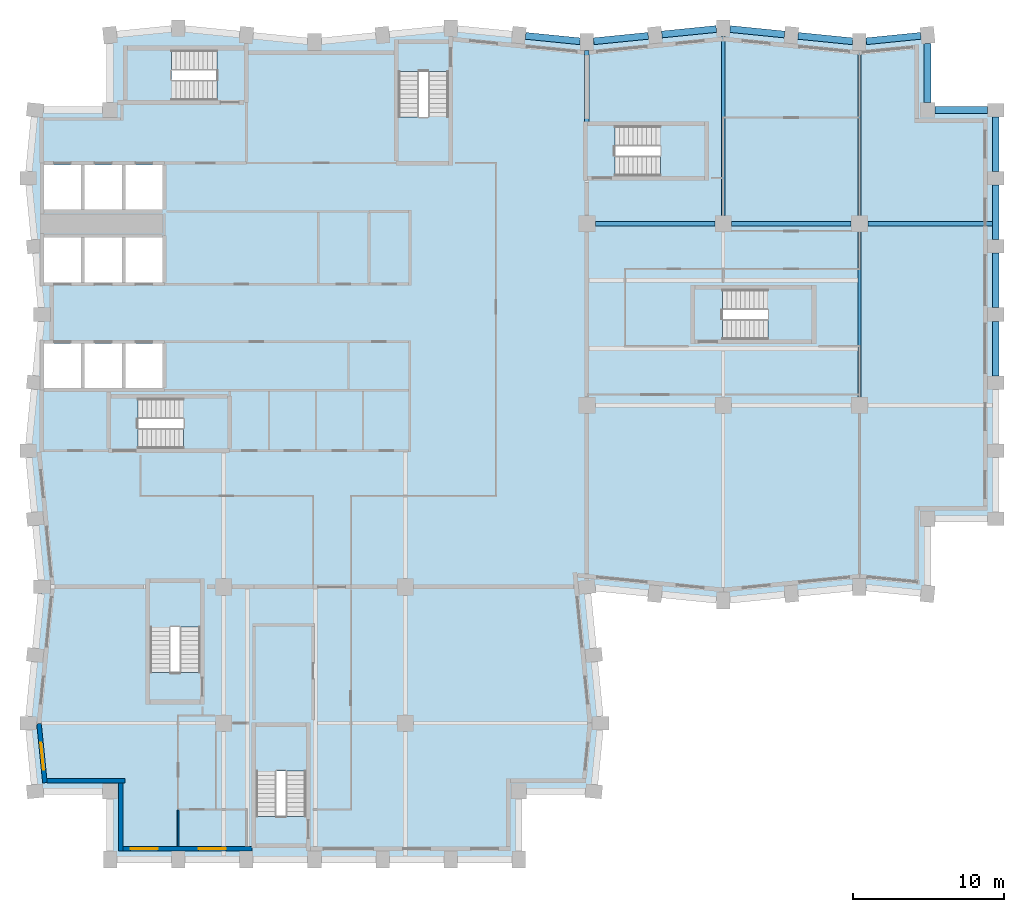
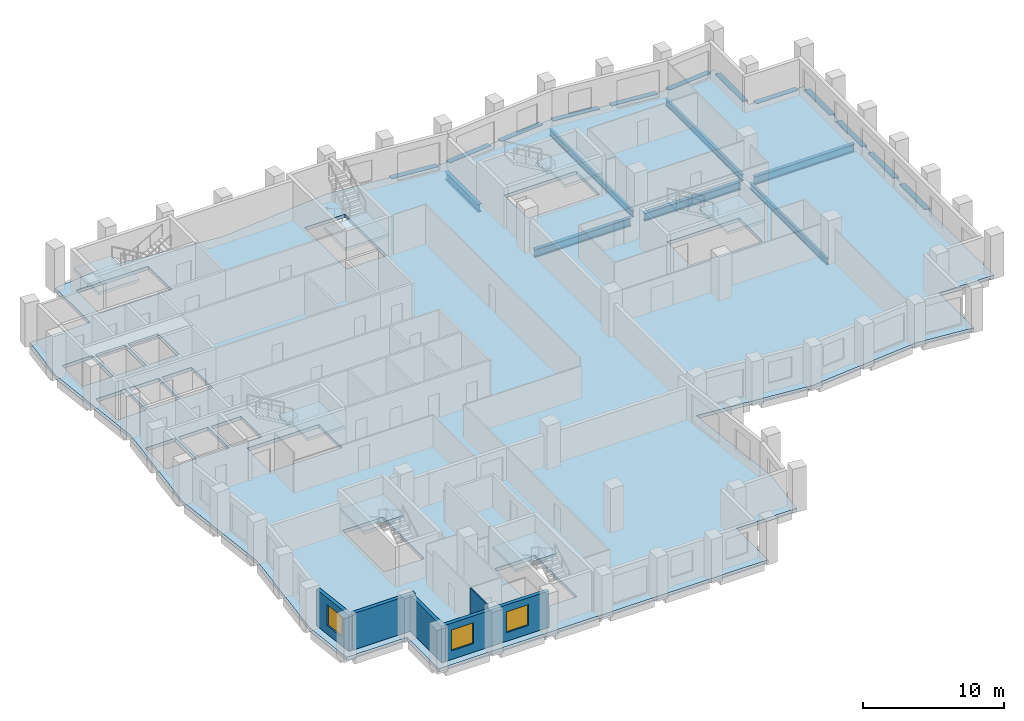
# One storey, part 2 of 10: 19 beams, 8 slabs, 5 walls, 3 windows, 3 openings, 7 elements without a shape of their own.
"""IFC4 building model written with IfcOpenShell, lengths in metres."""

from ifc_helpers import new_model, si_unit, direction, frame, frame_2d, origin, origin_2d, place, context, subcontext, project, spatial, polyline, rectangle, i_section, outline, extrude, material, layer, layer_set, material_profile, profile_set, type_object, element, fill, aggregate, save


model = new_model("IFC4")

# Units and contexts
model_context = context("Model", 3, precision=1e-05, world=origin(), true_north=direction((0.0, 1.0)))
body_context = subcontext(model_context, "Body", "Model", "MODEL_VIEW")
ifc_project = project(units=[si_unit("LENGTHUNIT", "METRE"), si_unit("AREAUNIT", "SQUARE_METRE"), si_unit("VOLUMEUNIT", "CUBIC_METRE"), si_unit("PLANEANGLEUNIT", "RADIAN"), si_unit("MASSUNIT", "GRAM", prefix="KILO")], contexts=[model_context])

# Site, building, storey
site_placement = place(None, origin())
site = spatial("IfcSite", under=ifc_project, at=site_placement, CompositionType="ELEMENT")
building_placement = place(site_placement, origin())
building = spatial("IfcBuilding", under=site, at=building_placement, Name="Brondeck Convention Tower", CompositionType="ELEMENT")
storey_placement = place(building_placement, frame((0.0, 0.0, 181.39990234375)))
storey = spatial("IfcBuildingStorey", under=building, at=storey_placement, Name="L44", CompositionType="ELEMENT", Elevation=181.39990234375)

# Beams
ifc_material_1 = material(Name="Steel S355", Category="steel")
ifc_material_profile_1 = material_profile(ifc_material_1, i_section(OverallWidth=0.2099609375, OverallDepth=0.550048828125, WebThickness=0.010986328125, FlangeThickness=0.01708984375, FilletRadius=0.02392578125, at=origin_2d()), Name="IPE 550")
ifc_profile_set_1 = profile_set([ifc_material_profile_1], Name="Steel S355")
beam_type_1 = type_object("IfcBeamType", Name="Floor beam IPE 550", PredefinedType="BEAM", material=ifc_profile_set_1)
beam_1_placement = place(storey_placement, frame((45.0, 51.550048828125, -0.574951171875), z_axis=(0.0, 1.0, 0.0), x_axis=(-1.0, 0.0, 0.0)))
element("IfcBeam", 1, at=beam_1_placement, inside=storey, type_object=beam_type_1, Name="STR-FB-L44-002", PredefinedType="BEAM", context=body_context, shape_type="SweptSolid", body=[
    extrude(i_section(OverallWidth=0.2099609375, OverallDepth=0.550048828125, WebThickness=0.010986328125, FlangeThickness=0.01708984375, FilletRadius=0.02392578125, at=origin_2d()), origin(), (0.0, 0.0, 1.0), 11.800048828125),
])
for number, where, z_axis, x_axis, name in (
    (2, (54.0, 39.550048828125, -0.574951171875), (0.0, 1.0, 0.0), (-1.0, 0.0, 0.0), "STR-FB-L44-004"),
    (3, (54.0, 51.550048828125, -0.574951171875), (0.0, 1.0, 0.0), (-1.0, 0.0, 0.0), "STR-FB-L44-005"),
):
    element("IfcBeam", number, at=place(storey_placement, frame(where, z_axis=z_axis, x_axis=x_axis)), inside=storey, type_object=beam_type_1, Name=name, PredefinedType="BEAM", context=body_context, shape_type="SweptSolid", body=[
        extrude(i_section(OverallWidth=0.2099609375, OverallDepth=0.550048828125, WebThickness=0.010986328125, FlangeThickness=0.01708984375, FilletRadius=0.02392578125, at=origin_2d()), origin(), (0.0, 0.0, 1.0), 10.89990234375),
    ])
ifc_material_profile_2 = material_profile(ifc_material_1, i_section(OverallWidth=0.300048828125, OverallDepth=0.699951171875, WebThickness=0.01708984375, FlangeThickness=0.031982421875, FilletRadius=0.027099609375, at=origin_2d()), Name="HEB 700")
ifc_profile_set_2 = profile_set([ifc_material_profile_2], Name="Steel S355")
beam_type_2 = type_object("IfcBeamType", Name="Girder HEB 700", PredefinedType="BEAM", material=ifc_profile_set_2)
for number, where, z_axis, x_axis, name in (
    (4, (36.550048828125, 51.0, -0.64990234375), (1.0, 0.0, 0.0), (0.0, 1.0, 0.0), "STR-GR-L44-004"),
    (5, (45.550048828125, 51.0, -0.64990234375), (1.0, 0.0, 0.0), (0.0, 1.0, 0.0), "STR-GR-L44-005"),
):
    element("IfcBeam", number, at=place(storey_placement, frame(where, z_axis=z_axis, x_axis=x_axis)), inside=storey, type_object=beam_type_2, Name=name, PredefinedType="BEAM", context=body_context, shape_type="SweptSolid", body=[
        extrude(i_section(OverallWidth=0.300048828125, OverallDepth=0.699951171875, WebThickness=0.01708984375, FlangeThickness=0.031982421875, FilletRadius=0.027099609375, at=origin_2d()), origin(), (0.0, 0.0, 1.0), 7.89990234375),
    ])
beam_2_placement = place(storey_placement, frame((54.550048828125, 51.0, -0.64990234375), z_axis=(1.0, 0.0, 0.0), x_axis=(0.0, 1.0, 0.0)))
element("IfcBeam", 6, at=beam_2_placement, inside=storey, type_object=beam_type_2, Name="STR-GR-L44-006", PredefinedType="BEAM", context=body_context, shape_type="SweptSolid", body=[
    extrude(i_section(OverallWidth=0.300048828125, OverallDepth=0.699951171875, WebThickness=0.01708984375, FlangeThickness=0.031982421875, FilletRadius=0.027099609375, at=origin_2d()), origin(), (0.0, 0.0, 1.0), 8.224853515625),
])
beam_3_placement = place(storey_placement, frame((36.0, 57.719970703125, -0.64990234375), z_axis=(0.0, 1.0, 0.0), x_axis=(-1.0, 0.0, 0.0)))
element("IfcBeam", 7, at=beam_3_placement, inside=storey, type_object=beam_type_2, Name="STR-GR-L44-010", PredefinedType="BEAM", context=body_context, shape_type="SweptSolid", body=[
    extrude(i_section(OverallWidth=0.300048828125, OverallDepth=0.699951171875, WebThickness=0.01708984375, FlangeThickness=0.031982421875, FilletRadius=0.027099609375, at=origin_2d()), origin(), (0.0, 0.0, 1.0), 4.72998046875),
])
ifc_material_2 = material(Name="Concrete C70/85", Category="concrete")
ifc_material_profile_3 = material_profile(ifc_material_2, rectangle(XDim=0.449951171875, YDim=0.64990234375, at=origin_2d()), Name="Precast spandrel 450x650 Concrete C70/85")
ifc_profile_set_3 = profile_set([ifc_material_profile_3], Name="Concrete C70/85")
beam_type_3 = type_object("IfcBeamType", Name="Precast spandrel 450x650 Concrete C70/85", PredefinedType="SPANDREL", material=ifc_profile_set_3)
for number, where, z_axis, x_axis, name in (
    (8, (63.0, 40.949951171875, -0.324951171875), (0.0, 1.0, 0.0), (-1.0, 0.0, 0.0), "STR-SP-L44-021"),
    (9, (63.0, 45.449951171875, -0.324951171875), (0.0, 1.0, 0.0), (-1.0, 0.0, 0.0), "STR-SP-L44-022"),
    (10, (63.0, 49.949951171875, -0.324951171875), (0.0, 1.0, 0.0), (-1.0, 0.0, 0.0), "STR-SP-L44-023"),
    (11, (63.0, 54.449951171875, -0.324951171875), (0.0, 1.0, 0.0), (-1.0, 0.0, 0.0), "STR-SP-L44-024"),
):
    element("IfcBeam", number, at=place(storey_placement, frame(where, z_axis=z_axis, x_axis=x_axis)), inside=storey, type_object=beam_type_3, Name=name, PredefinedType="SPANDREL", context=body_context, shape_type="SweptSolid", body=[
        extrude(rectangle(XDim=0.449951171875, YDim=0.64990234375, at=origin_2d()), origin(), (0.0, 0.0, 1.0), 3.60009765625),
    ])
beam_4_placement = place(storey_placement, frame((62.449951171875, 58.5, -0.324951171875), z_axis=(-1.0, 0.0, 0.0), x_axis=(0.0, -1.0, 0.0)))
element("IfcBeam", 12, at=beam_4_placement, inside=storey, type_object=beam_type_3, Name="STR-SP-L44-025", PredefinedType="SPANDREL", context=body_context, shape_type="SweptSolid", body=[
    extrude(rectangle(XDim=0.449951171875, YDim=0.64990234375, at=origin_2d()), origin(), (0.0, 0.0, 1.0), 3.449951171875),
])
beam_5_placement = place(storey_placement, frame((58.5, 59.0, -0.324951171875), z_axis=(0.0, 1.0, 0.0), x_axis=(-1.0, 0.0, 0.0)))
element("IfcBeam", 13, at=beam_5_placement, inside=storey, type_object=beam_type_3, Name="STR-SP-L44-026", PredefinedType="SPANDREL", context=body_context, shape_type="SweptSolid", body=[
    extrude(rectangle(XDim=0.449951171875, YDim=0.64990234375, at=origin_2d()), origin(), (0.0, 0.0, 1.0), 3.897216796875),
])
for number, where, z_axis, x_axis, name in (
    (14, (58.05224609375, 63.4052734375, -0.324951171875), (-0.995033851182, -0.099537103649, 0.0), (0.099537103649, -0.995033851182, 0.0), "STR-SP-L44-027"),
    (15, (53.550048828125, 63.044921875, -0.324951171875), (-0.995033851182, 0.099537103649, 0.0), (-0.099537103649, -0.995033851182, 0.0), "STR-SP-L44-028"),
    (16, (49.05224609375, 63.494873046875, -0.324951171875), (-0.995040528141, 0.099470334057, 0.0), (-0.099470334057, -0.995040528141, 0.0), "STR-SP-L44-029"),
    (17, (44.550048828125, 63.85498046875, -0.324951171875), (-0.995040528141, -0.099470334057, 0.0), (0.099470334057, -0.995040528141, 0.0), "STR-SP-L44-030"),
    (18, (40.05224609375, 63.4052734375, -0.324951171875), (-0.995033851182, -0.099537103649, 0.0), (0.099537103649, -0.995033851182, 0.0), "STR-SP-L44-031"),
    (19, (35.550048828125, 63.044921875, -0.324951171875), (-0.995033851182, 0.099537103649, 0.0), (-0.099537103649, -0.995033851182, 0.0), "STR-SP-L44-032"),
):
    element("IfcBeam", number, at=place(storey_placement, frame(where, z_axis=z_axis, x_axis=x_axis)), inside=storey, type_object=beam_type_3, Name=name, PredefinedType="SPANDREL", context=body_context, shape_type="SweptSolid", body=[
        extrude(rectangle(XDim=0.449951171875, YDim=0.64990234375, at=origin_2d()), origin(), (0.0, 0.0, 1.0), 3.620361328125),
    ])

# Slab
ifc_material_3 = material(Name="Concrete C35/45", Category="concrete")
ifc_layer_1 = layer(ifc_material_3, 0.300048828125)
ifc_layer_set_1 = layer_set([ifc_layer_1], Name="Composite floor slab 300")
slab_type_1 = type_object("IfcSlabType", Name="Composite floor slab 300", PredefinedType="FLOOR", material=ifc_layer_set_1)
slab_1_placement = place(storey_placement, frame((0.0, 0.0, -0.2998046875)))
element("IfcSlab", 20, at=slab_1_placement, inside=storey, type_object=slab_type_1, Name="STR-SL-L44", PredefinedType="FLOOR", context=body_context, shape_type="SweptSolid", body=[
    extrude(outline(polyline([(4.5, 13.5), (-0.449951171875, 13.5), (-0.89990234375, 18.0), (0.0, 27.0), (-0.89990234375, 36.0), (0.0, 45.0), (-0.89990234375, 54.0), (-0.449951171875, 58.5), (4.5, 58.5), (4.5, 63.449951171875), (9.0, 63.89990234375), (18.0, 63.0), (27.0, 63.89990234375), (36.0, 63.0), (45.0, 63.89990234375), (54.0, 63.0), (58.5, 63.449951171875), (58.5, 58.5), (63.0, 58.5), (63.0, 31.5), (58.5, 31.5), (58.5, 26.550048828125), (54.0, 27.0), (45.0, 26.10009765625), (36.0, 27.0), (36.89990234375, 18.0), (36.449951171875, 13.5), (31.5, 13.5), (31.5, 9.0), (4.5, 9.0), (4.5, 13.5)]), holes=[polyline([(2.574951171875, 40.125), (2.574951171875, 43.074951171875), (0.125, 43.074951171875), (0.125, 40.125), (2.574951171875, 40.125)]), polyline([(5.27490234375, 40.125), (5.27490234375, 43.074951171875), (2.824951171875, 43.074951171875), (2.824951171875, 40.125), (5.27490234375, 40.125)]), polyline([(7.97509765625, 40.125), (7.97509765625, 43.074951171875), (5.52490234375, 43.074951171875), (5.52490234375, 40.125), (7.97509765625, 40.125)]), polyline([(2.574951171875, 47.125), (2.574951171875, 50.074951171875), (0.125, 50.074951171875), (0.125, 47.125), (2.574951171875, 47.125)]), polyline([(5.27490234375, 47.125), (5.27490234375, 50.074951171875), (2.824951171875, 50.074951171875), (2.824951171875, 47.125), (5.27490234375, 47.125)]), polyline([(7.97509765625, 47.125), (7.97509765625, 50.074951171875), (5.52490234375, 50.074951171875), (5.52490234375, 47.125), (7.97509765625, 47.125)]), polyline([(2.574951171875, 51.925048828125), (2.574951171875, 54.875), (0.125, 54.875), (0.125, 51.925048828125), (2.574951171875, 51.925048828125)]), polyline([(5.27490234375, 51.925048828125), (5.27490234375, 54.875), (2.824951171875, 54.875), (2.824951171875, 51.925048828125), (5.27490234375, 51.925048828125)]), polyline([(17.447998046875, 17.748046875), (14.152099609375, 17.748046875), (14.152099609375, 11.85205078125), (17.447998046875, 11.85205078125), (17.447998046875, 17.748046875)]), polyline([(10.447998046875, 27.248046875), (7.152099609375, 27.248046875), (7.152099609375, 21.35205078125), (10.447998046875, 21.35205078125), (10.447998046875, 27.248046875)]), polyline([(12.248046875, 36.152099609375), (12.248046875, 39.447998046875), (6.35205078125, 39.447998046875), (6.35205078125, 36.152099609375), (12.248046875, 36.152099609375)]), polyline([(50.847900390625, 43.35205078125), (50.847900390625, 46.64794921875), (44.951904296875, 46.64794921875), (44.951904296875, 43.35205078125), (50.847900390625, 43.35205078125)]), polyline([(7.97509765625, 51.925048828125), (7.97509765625, 54.875), (5.52490234375, 54.875), (5.52490234375, 51.925048828125), (7.97509765625, 51.925048828125)]), polyline([(43.748046875, 54.152099609375), (43.748046875, 57.447998046875), (37.85205078125, 57.447998046875), (37.85205078125, 54.152099609375), (43.748046875, 54.152099609375)]), polyline([(23.552001953125, 55.152099609375), (26.847900390625, 55.152099609375), (26.847900390625, 61.048095703125), (23.552001953125, 61.048095703125), (23.552001953125, 55.152099609375)]), polyline([(5.652099609375, 62.447998046875), (5.652099609375, 59.152099609375), (11.548095703125, 59.152099609375), (11.548095703125, 62.447998046875), (5.652099609375, 62.447998046875)])]), origin(), (0.0, 0.0, 1.0), 0.2998046875),
])

# Stair, slab
ifc_material_4 = material(Name="Precast concrete C50/60", Category="concrete")
stair_type = type_object("IfcStairType", Name="Core stair 22 risers 172.73 mm riser 300 mm going 1350 wide", PredefinedType="HALF_TURN_STAIR", material=ifc_material_4)
stair_1_placement = place(storey_placement, origin())
stair_1 = element("IfcStair", 21, at=stair_1_placement, inside=storey, type_object=stair_type, Name="ST-1 L44 stair", PredefinedType="HALF_TURN_STAIR")
ifc_layer_2 = layer(ifc_material_4, 0.25)
ifc_layer_set_2 = layer_set([ifc_layer_2], Name="Core stair landing 250 Precast concrete C50/60")
slab_type_2 = type_object("IfcSlabType", Name="Core stair landing 250 Precast concrete C50/60", PredefinedType="LANDING", material=ifc_layer_set_2)
slab_2_placement = place(storey_placement, frame((0.0, 0.0, 1.650146484375)))
slab_2 = element("IfcSlab", 22, at=slab_2_placement, type_object=slab_type_2, Name="ST-1 landing 1", PredefinedType="LANDING", context=body_context, shape_type="SweptSolid", body=[
    extrude(outline(polyline([(9.347900390625, 37.5), (9.35009765625, 37.5), (9.35009765625, 38.10009765625), (9.050048828125, 38.10009765625), (9.050048828125, 39.570068359375), (12.3701171875, 39.570068359375), (12.3701171875, 36.030029296875), (9.347900390625, 36.030029296875), (9.347900390625, 37.5)])), origin(), (0.0, 0.0, 1.0), 0.25),
])
aggregate(stair_1, [slab_2])

stair_2_placement = place(storey_placement, origin())
stair_2 = element("IfcStair", 23, at=stair_2_placement, inside=storey, type_object=stair_type, Name="ST-2 L44 stair", PredefinedType="HALF_TURN_STAIR")
slab_3_placement = place(storey_placement, frame((0.0, 0.0, 1.650146484375)))
slab_3 = element("IfcSlab", 24, at=slab_3_placement, type_object=slab_type_2, Name="ST-2 landing 1", PredefinedType="LANDING", context=body_context, shape_type="SweptSolid", body=[
    extrude(outline(polyline([(23.429931640625, 58.052001953125), (24.89990234375, 58.052001953125), (24.89990234375, 58.050048828125), (25.5, 58.050048828125), (25.5, 58.35009765625), (26.969970703125, 58.35009765625), (26.969970703125, 55.030029296875), (23.429931640625, 55.030029296875), (23.429931640625, 58.052001953125)])), origin(), (0.0, 0.0, 1.0), 0.25),
])
aggregate(stair_2, [slab_3])

stair_3_placement = place(storey_placement, origin())
stair_3 = element("IfcStair", 25, at=stair_3_placement, inside=storey, type_object=stair_type, Name="ST-3 L44 stair", PredefinedType="HALF_TURN_STAIR")
slab_4_placement = place(storey_placement, frame((0.0, 0.0, 1.650146484375)))
slab_4 = element("IfcSlab", 26, at=slab_4_placement, type_object=slab_type_2, Name="ST-3 landing 1", PredefinedType="LANDING", context=body_context, shape_type="SweptSolid", body=[
    extrude(outline(polyline([(8.85009765625, 60.5), (8.85009765625, 59.030029296875), (5.530029296875, 59.030029296875), (5.530029296875, 62.570068359375), (8.552001953125, 62.570068359375), (8.552001953125, 61.10009765625), (8.550048828125, 61.10009765625), (8.550048828125, 60.5), (8.85009765625, 60.5)])), origin(), (0.0, 0.0, 1.0), 0.25),
])
aggregate(stair_3, [slab_4])

stair_4_placement = place(storey_placement, origin())
stair_4 = element("IfcStair", 27, at=stair_4_placement, inside=storey, type_object=stair_type, Name="ST-AE L44 stair", PredefinedType="HALF_TURN_STAIR")
slab_5_placement = place(storey_placement, frame((0.0, 0.0, 1.650146484375)))
slab_5 = element("IfcSlab", 28, at=slab_5_placement, type_object=slab_type_2, Name="ST-AE landing 1", PredefinedType="LANDING", context=body_context, shape_type="SweptSolid", body=[
    extrude(outline(polyline([(40.847900390625, 55.5), (40.85009765625, 55.5), (40.85009765625, 56.10009765625), (40.550048828125, 56.10009765625), (40.550048828125, 57.570068359375), (43.8701171875, 57.570068359375), (43.8701171875, 54.030029296875), (40.847900390625, 54.030029296875), (40.847900390625, 55.5)])), origin(), (0.0, 0.0, 1.0), 0.25),
])
aggregate(stair_4, [slab_5])

stair_5_placement = place(storey_placement, origin())
stair_5 = element("IfcStair", 29, at=stair_5_placement, inside=storey, type_object=stair_type, Name="ST-BE L44 stair", PredefinedType="HALF_TURN_STAIR")
slab_6_placement = place(storey_placement, frame((0.0, 0.0, 1.650146484375)))
slab_6 = element("IfcSlab", 30, at=slab_6_placement, type_object=slab_type_2, Name="ST-BE landing 1", PredefinedType="LANDING", context=body_context, shape_type="SweptSolid", body=[
    extrude(outline(polyline([(7.030029296875, 24.050048828125), (7.030029296875, 27.3701171875), (10.570068359375, 27.3701171875), (10.570068359375, 24.347900390625), (9.10009765625, 24.347900390625), (9.10009765625, 24.35009765625), (8.5, 24.35009765625), (8.5, 24.050048828125), (7.030029296875, 24.050048828125)])), origin(), (0.0, 0.0, 1.0), 0.25),
])
aggregate(stair_5, [slab_6])

stair_6_placement = place(storey_placement, origin())
stair_6 = element("IfcStair", 31, at=stair_6_placement, inside=storey, type_object=stair_type, Name="ST-AF L44 stair", PredefinedType="HALF_TURN_STAIR")
slab_7_placement = place(storey_placement, frame((0.0, 0.0, 1.650146484375)))
slab_7 = element("IfcSlab", 32, at=slab_7_placement, type_object=slab_type_2, Name="ST-AF landing 1", PredefinedType="LANDING", context=body_context, shape_type="SweptSolid", body=[
    extrude(outline(polyline([(47.947998046875, 44.699951171875), (47.949951171875, 44.699951171875), (47.949951171875, 45.300048828125), (47.64990234375, 45.300048828125), (47.64990234375, 46.77001953125), (50.969970703125, 46.77001953125), (50.969970703125, 43.22998046875), (47.947998046875, 43.22998046875), (47.947998046875, 44.699951171875)])), origin(), (0.0, 0.0, 1.0), 0.25),
])
aggregate(stair_6, [slab_7])

stair_7_placement = place(storey_placement, origin())
stair_7 = element("IfcStair", 33, at=stair_7_placement, inside=storey, type_object=stair_type, Name="ST-BF L44 stair", PredefinedType="HALF_TURN_STAIR")
slab_8_placement = place(storey_placement, frame((0.0, 0.0, 1.650146484375)))
slab_8 = element("IfcSlab", 34, at=slab_8_placement, type_object=slab_type_2, Name="ST-BF landing 1", PredefinedType="LANDING", context=body_context, shape_type="SweptSolid", body=[
    extrude(outline(polyline([(14.030029296875, 14.550048828125), (14.030029296875, 17.8701171875), (17.570068359375, 17.8701171875), (17.570068359375, 14.847900390625), (16.10009765625, 14.847900390625), (16.10009765625, 14.85009765625), (15.5, 14.85009765625), (15.5, 14.550048828125), (14.030029296875, 14.550048828125)])), origin(), (0.0, 0.0, 1.0), 0.25),
])
aggregate(stair_7, [slab_8])

# Wall, openings, windows
ifc_material_5 = material(Name="Precast concrete C50/60 bronze finish", Category="concrete")
ifc_layer_3 = layer(ifc_material_5, 0.070068359375, Name="Bronze precast facing")
ifc_material_6 = material(Name="Mineral wool")
ifc_layer_4 = layer(ifc_material_6, 0.159912109375, Name="Insulation")
ifc_layer_5 = layer(ifc_material_3, 0.070068359375, Name="Backing")
ifc_layer_set_3 = layer_set([ifc_layer_3, ifc_layer_4, ifc_layer_5], Name="External infill wall, precast concrete C50/60 bronze facing")
wall_type_1 = type_object("IfcWallType", Name="External infill wall, precast concrete C50/60 bronze facing", PredefinedType="SOLIDWALL", material=ifc_layer_set_3)
wall_1_placement = place(storey_placement, frame((13.860107421875, 9.699951171875, 0.0), z_axis=(0.0, 0.0, 1.0), x_axis=(-1.0, 0.0, 0.0)))
wall_1 = element("IfcWall", 35, at=wall_1_placement, inside=storey, type_object=wall_type_1, Name="ENV-EW-L44-P1-B-S9-01", PredefinedType="SOLIDWALL", context=body_context, shape_type="SweptSolid", body=[
    extrude(rectangle(XDim=8.510009765625, YDim=0.300048828125, at=frame_2d((4.2548828125, 0.0))), origin(), (0.0, 0.0, 1.0), 3.150146484375),
])
opening_1_placement = place(wall_1_placement, frame((1.7099609375, 0.0, 0.75)))
opening_1 = element("IfcOpeningElement", 36, at=opening_1_placement, cuts=wall_1, Name="Opening W10", PredefinedType="OPENING", context=body_context, shape_type="SweptSolid", body=[
    extrude(rectangle(XDim=1.800048828125, YDim=1.800048828125, at=frame_2d((0.89990234375, 0.89990234375))), frame((0.0, 0.159912109375, 0.0), z_axis=(0.0, -1.0, 0.0), x_axis=(1.0, 0.0, 0.0)), (0.0, 0.0, 1.0), 0.320068359375),
])
opening_2_placement = place(wall_1_placement, frame((6.2099609375, 0.0, 0.75)))
opening_2 = element("IfcOpeningElement", 37, at=opening_2_placement, cuts=wall_1, Name="Opening W10", PredefinedType="OPENING", context=body_context, shape_type="SweptSolid", body=[
    extrude(rectangle(XDim=1.800048828125, YDim=1.800048828125, at=frame_2d((0.89990234375, 0.89990234375))), frame((0.0, 0.159912109375, 0.0), z_axis=(0.0, -1.0, 0.0), x_axis=(1.0, 0.0, 0.0)), (0.0, 0.0, 1.0), 0.320068359375),
])
ifc_material_7 = material(Name="Bronze tinted double glazing", Category="glass")
window_type = type_object("IfcWindowType", Name="Punched window, bronze tinted", PartitioningType="SINGLE_PANEL", PredefinedType="WINDOW", material=ifc_material_7)
window_1_placement = place(opening_1_placement, origin())
window_1 = element("IfcWindow", 38, at=window_1_placement, inside=storey, type_object=window_type, Name="ENV-WN-L44-P1-B-S9-02", OverallHeight=1.800048828125, OverallWidth=1.800048828125, PartitioningType="SINGLE_PANEL", PredefinedType="WINDOW", context=body_context, shape_type="SweptSolid", body=[
    extrude(rectangle(XDim=1.800048828125, YDim=1.800048828125, at=frame_2d((0.89990234375, 0.89990234375))), frame((0.0, 0.030029296875, 0.0), z_axis=(0.0, -1.0, 0.0), x_axis=(1.0, 0.0, 0.0)), (0.0, 0.0, 1.0), 0.06005859375),
])
fill(opening_1, window_1)
window_2_placement = place(opening_2_placement, origin())
window_2 = element("IfcWindow", 39, at=window_2_placement, inside=storey, type_object=window_type, Name="ENV-WN-L44-P1-B-S9-01", OverallHeight=1.800048828125, OverallWidth=1.800048828125, PartitioningType="SINGLE_PANEL", PredefinedType="WINDOW", context=body_context, shape_type="SweptSolid", body=[
    extrude(rectangle(XDim=1.800048828125, YDim=1.800048828125, at=frame_2d((0.89990234375, 0.89990234375))), frame((0.0, 0.030029296875, 0.0), z_axis=(0.0, -1.0, 0.0), x_axis=(1.0, 0.0, 0.0)), (0.0, 0.0, 1.0), 0.06005859375),
])
fill(opening_2, window_2)

# Wall, opening, window
wall_2_placement = place(storey_placement, frame((0.197021484375, 14.06494140625, 0.0), z_axis=(0.0, 0.0, 1.0), x_axis=(-0.099528354722, 0.995034726332, 0.0)))
wall_2 = element("IfcWall", 40, at=wall_2_placement, inside=storey, type_object=wall_type_1, Name="ENV-EW-L44-P1-B-W-10", PredefinedType="SOLIDWALL", context=body_context, shape_type="SweptSolid", body=[
    extrude(rectangle(XDim=3.9248046875, YDim=0.300048828125, at=frame_2d((1.96240234375, 0.0))), origin(), (0.0, 0.0, 1.0), 3.150146484375),
])
opening_3_placement = place(wall_2_placement, frame((0.863525390625, 0.0, 0.75)))
opening_3 = element("IfcOpeningElement", 41, at=opening_3_placement, cuts=wall_2, Name="Opening W10", PredefinedType="OPENING", context=body_context, shape_type="SweptSolid", body=[
    extrude(rectangle(XDim=1.800048828125, YDim=1.800048828125, at=frame_2d((0.89990234375, 0.89990234375))), frame((0.0, 0.159912109375, 0.0), z_axis=(0.0, -1.0, 0.0), x_axis=(1.0, 0.0, 0.0)), (0.0, 0.0, 1.0), 0.320068359375),
])
window_3_placement = place(opening_3_placement, origin())
window_3 = element("IfcWindow", 42, at=window_3_placement, inside=storey, type_object=window_type, Name="ENV-WN-L44-P1-B-W-10", OverallHeight=1.800048828125, OverallWidth=1.800048828125, PartitioningType="SINGLE_PANEL", PredefinedType="WINDOW", context=body_context, shape_type="SweptSolid", body=[
    extrude(rectangle(XDim=1.800048828125, YDim=1.800048828125, at=frame_2d((0.89990234375, 0.89990234375))), frame((0.0, 0.030029296875, 0.0), z_axis=(0.0, -1.0, 0.0), x_axis=(1.0, 0.0, 0.0)), (0.0, 0.0, 1.0), 0.06005859375),
])
fill(opening_3, window_3)

# Walls
wall_3_placement = place(storey_placement, frame((5.5, 14.199951171875, 0.0), z_axis=(0.0, 0.0, 1.0), x_axis=(-1.0, 0.0, 0.0)))
element("IfcWall", 43, at=wall_3_placement, inside=storey, type_object=wall_type_1, Name="ENV-EW-L44-P1-NC-SWB9-01", PredefinedType="SOLIDWALL", context=body_context, shape_type="SweptSolid", body=[
    extrude(rectangle(XDim=5.16455078125, YDim=0.300048828125, at=frame_2d((2.582275390625, 0.0))), origin(), (0.0, 0.0, 1.0), 3.150146484375),
])
wall_4_placement = place(storey_placement, frame((5.199951171875, 9.550048828125, 0.0), z_axis=(0.0, 0.0, 1.0), x_axis=(0.0, 1.0, 0.0)))
element("IfcWall", 44, at=wall_4_placement, inside=storey, type_object=wall_type_1, Name="ENV-EW-L44-P1-NC-SWB9-02", PredefinedType="SOLIDWALL", context=body_context, shape_type="SweptSolid", body=[
    extrude(rectangle(XDim=4.501953125, YDim=0.300048828125, at=frame_2d((2.2509765625, 0.0))), origin(), (0.0, 0.0, 1.0), 3.150146484375),
])
ifc_material_8 = material(Name="Gypsum board partition on steel studs", Category="steel")
ifc_layer_6 = layer(ifc_material_8, 0.10009765625)
ifc_layer_set_4 = layer_set([ifc_layer_6], Name="Room partition 100")
wall_type_2 = type_object("IfcWallType", Name="Room partition 100", PredefinedType="PARTITIONING", material=ifc_layer_set_4)
wall_5_placement = place(storey_placement, frame((9.0, 9.8701171875, 0.0), z_axis=(0.0, 0.0, 1.0), x_axis=(0.0, 1.0, 0.0)))
element("IfcWall", 45, at=wall_5_placement, inside=storey, type_object=wall_type_2, Name="FLR-L44-W001", PredefinedType="PARTITIONING", context=body_context, shape_type="SweptSolid", body=[
    extrude(rectangle(XDim=2.3798828125, YDim=0.10009765625, at=frame_2d((1.18994140625, 0.0))), origin(), (0.0, 0.0, 1.0), 3.47998046875),
])

save(model, "model.ifc")
